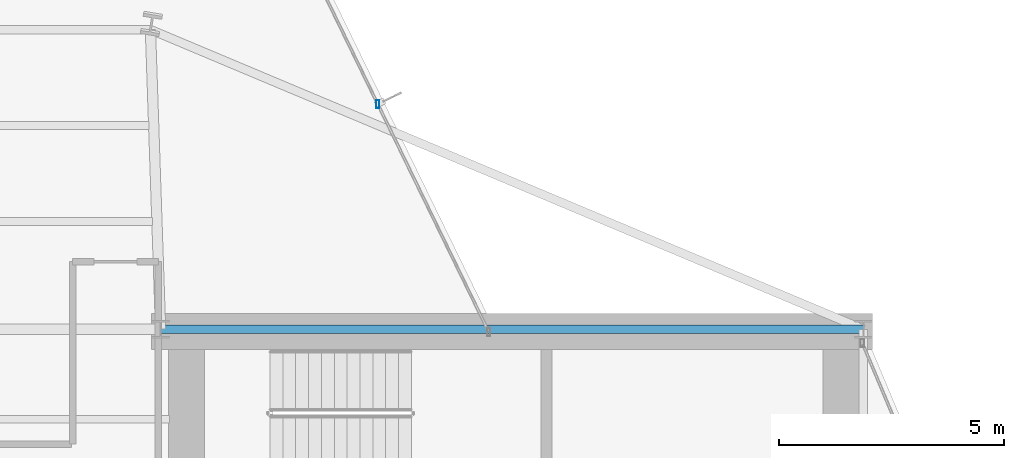
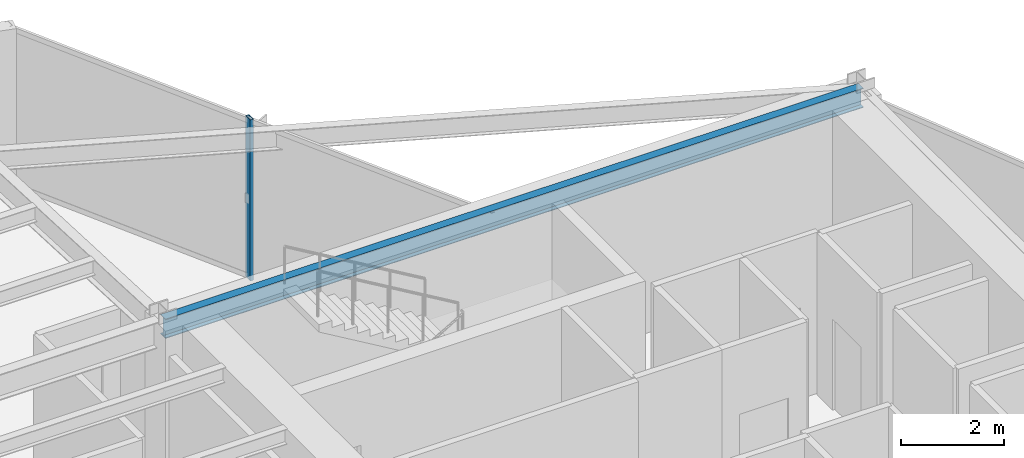
# One storey, part 15 of 24: 1 beam, 1 member, 1 element without a shape of its own.
"""IFC4 building model written with IfcOpenShell, lengths in metres."""

from ifc_helpers import new_model, si_unit, direction, frame, origin, origin_2d, place, context, subcontext, project, spatial, hollow_rectangle, i_section, extrude, material, layer, layer_set, material_profile, profile_set, type_object, element, aggregate, save


model = new_model("IFC4")

# Units and contexts
model_context = context("Model", 3, precision=1e-05, world=origin(), true_north=direction((0.0, 1.0)))
body_context = subcontext(model_context, "Body", "Model", "MODEL_VIEW")
ifc_project = project(units=[si_unit("LENGTHUNIT", "METRE"), si_unit("AREAUNIT", "SQUARE_METRE"), si_unit("VOLUMEUNIT", "CUBIC_METRE"), si_unit("PLANEANGLEUNIT", "RADIAN"), si_unit("MASSUNIT", "GRAM", prefix="KILO")], contexts=[model_context])

# Site, building, storey
site_placement = place(None, origin())
site = spatial("IfcSite", under=ifc_project, at=site_placement, CompositionType="ELEMENT")
building_placement = place(site_placement, origin())
building = spatial("IfcBuilding", under=site, at=building_placement, Name="Veymaron Broadcast Tower", CompositionType="ELEMENT")
storey_placement = place(building_placement, frame((0.0, 0.0, 124.949951171875)))
storey = spatial("IfcBuildingStorey", under=building, at=storey_placement, Name="L28", CompositionType="ELEMENT", Elevation=124.949951171875)

# Beam
ifc_material_1 = material(Name="Structural steel ASTM A992 Gr 50", Category="steel")
ifc_material_profile_1 = material_profile(ifc_material_1, i_section(OverallWidth=0.19091796875, OverallDepth=0.4599609375, WebThickness=0.010009765625, FlangeThickness=0.01611328125, at=origin_2d()), Name="W460X82")
ifc_profile_set_1 = profile_set([ifc_material_profile_1], Name="Structural steel ASTM A992 Gr 50")
beam_type = type_object("IfcBeamType", Name="BM-SP1", PredefinedType="SPANDREL", material=ifc_profile_set_1)
beam_placement = place(storey_placement, frame((39.0, 32.0, 3.580078125), z_axis=(1.0, 0.0, 0.0), x_axis=(0.0, 1.0, 0.0)))
element("IfcBeam", 1, at=beam_placement, inside=storey, type_object=beam_type, Name="L28 primary structural floor girder", PredefinedType="SPANDREL", context=body_context, shape_type="SweptSolid", body=[
    extrude(i_section(OverallWidth=0.19091796875, OverallDepth=0.4599609375, WebThickness=0.010009765625, FlangeThickness=0.01611328125, at=origin_2d()), origin(), (0.0, 0.0, 1.0), 15.60009765625),
])

# Curtain wall, member
ifc_material_2 = material(Name="Anodised aluminium AA 6063-T6 and laminated low-E dark glass", Category="aluminium")
ifc_layer = layer(ifc_material_2, 0.179931640625)
ifc_layer_set = layer_set([ifc_layer], Name="Anodised aluminium AA 6063-T6 and laminated low-E dark glass")
curtain_wall_type = type_object("IfcCurtainWallType", Name="CW-SYS-03", PredefinedType="NOTDEFINED", material=ifc_layer_set)
curtain_wall_placement = place(storey_placement, origin())
curtain_wall = element("IfcCurtainWall", 2, at=curtain_wall_placement, inside=storey, type_object=curtain_wall_type, Name="L28 dark-glass curtain wall CW-L28-E5-1", PredefinedType="NOTDEFINED")
ifc_material_3 = material(Name="Anodised aluminium AA 6063-T6", Category="aluminium")
ifc_material_profile_2 = material_profile(ifc_material_3, hollow_rectangle(XDim=0.074951171875, YDim=0.179931640625, WallThickness=0.0048828125, at=origin_2d()), Name="AL180X75X5")
ifc_profile_set_2 = profile_set([ifc_material_profile_2], Name="Anodised aluminium AA 6063-T6")
member_type = type_object("IfcMemberType", Name="CW-MUL-02", PredefinedType="MULLION", material=ifc_profile_set_2)
member_placement = place(storey_placement, frame((43.8203125, 36.998779296875, 0.0), z_axis=(0.0, 0.0, 1.0), x_axis=(1.0, 0.0, 0.0)))
member = element("IfcMember", 3, at=member_placement, type_object=member_type, Name="CW-L28-E5-1 mullion 1", PredefinedType="MULLION", context=body_context, shape_type="SweptSolid", body=[
    extrude(hollow_rectangle(XDim=0.074951171875, YDim=0.179931640625, WallThickness=0.0048828125, at=origin_2d()), origin(), (0.0, 0.0, 1.0), 3.81005859375),
])
aggregate(curtain_wall, [member])

save(model, "model.ifc")
